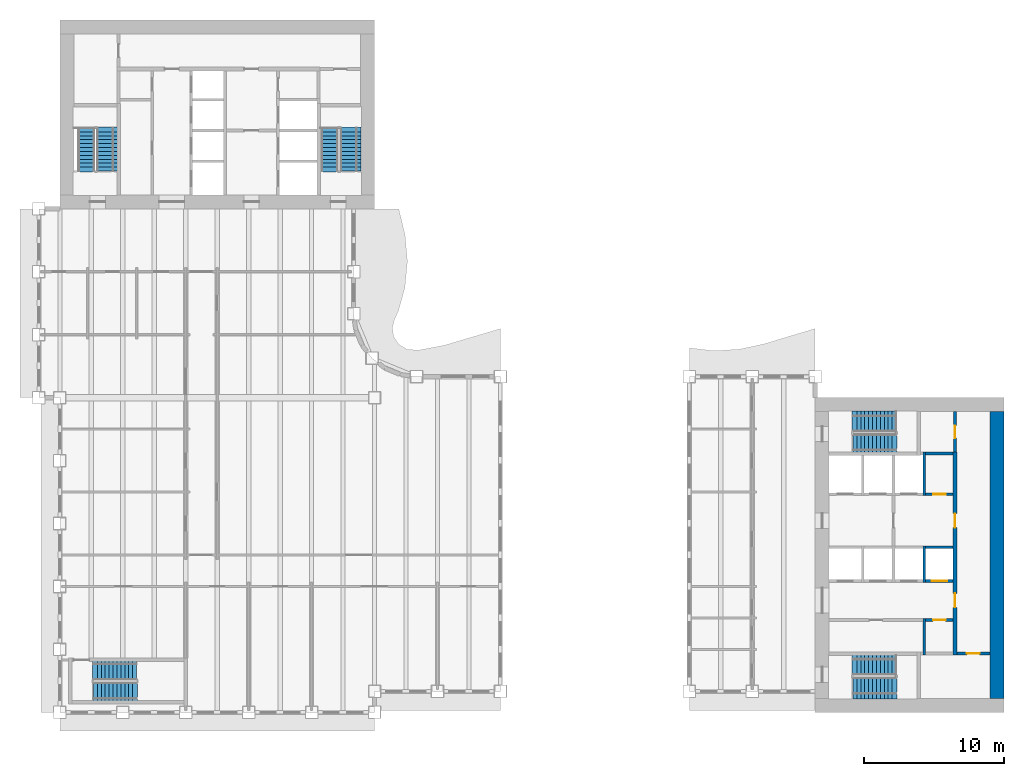
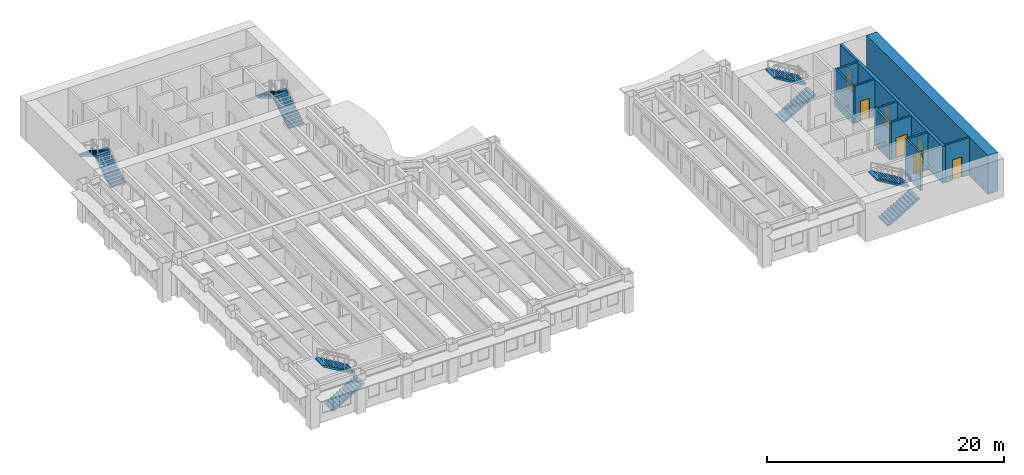
# One storey, part 9 of 13: 12 walls, 10 stair flights, 7 doors, 7 openings, 5 elements without a shape of their own.
"""IFC4 building model written with IfcOpenShell, lengths in metres."""

from ifc_helpers import new_model, si_unit, direction, frame, frame_2d, origin, place, context, subcontext, project, spatial, polyline, rectangle, outline, extrude, material, layer, layer_set, type_object, element, fill, aggregate, save


model = new_model("IFC4")

# Units and contexts
model_context = context("Model", 3, precision=1e-05, world=origin(), true_north=direction((0.0, 1.0)))
body_context = subcontext(model_context, "Body", "Model", "MODEL_VIEW")
ifc_project = project(units=[si_unit("LENGTHUNIT", "METRE"), si_unit("AREAUNIT", "SQUARE_METRE"), si_unit("VOLUMEUNIT", "CUBIC_METRE"), si_unit("PLANEANGLEUNIT", "RADIAN"), si_unit("MASSUNIT", "GRAM", prefix="KILO")], contexts=[model_context])

# Site, building, storey
site_placement = place(None, origin())
site = spatial("IfcSite", under=ifc_project, at=site_placement, CompositionType="ELEMENT")
building_placement = place(site_placement, origin())
building = spatial("IfcBuilding", under=site, at=building_placement, Name="Sennacour Bend Tower", CompositionType="ELEMENT")
storey_placement = place(building_placement, frame((0.0, 0.0, 143.0)))
storey = spatial("IfcBuildingStorey", under=building, at=storey_placement, Name="L32", CompositionType="ELEMENT", Elevation=143.0)

# Walls
ifc_material_1 = material(Name="Concrete C60/75", Category="concrete")
ifc_layer_1 = layer(ifc_material_1, 1.0, Name="Concrete C60/75", Category="concrete")
ifc_layer_set_1 = layer_set([ifc_layer_1], Name="Concrete C60/75")
wall_type_1 = type_object("IfcWallType", Name="Core wall 1000 C60/75", PredefinedType="SHEAR", material=ifc_layer_set_1)
wall_1_placement = place(storey_placement, frame((67.0, 1.0, -0.14990234375), z_axis=(0.0, 0.0, 1.0), x_axis=(0.0, 1.0, 0.0)))
element("IfcWall", 1, at=wall_1_placement, inside=storey, type_object=wall_type_1, Name="Core A wall L32 E", PredefinedType="SHEAR", context=body_context, shape_type="SweptSolid", body=[
    extrude(rectangle(XDim=20.5, YDim=1.0, at=frame_2d((10.25, 0.0))), origin(), (0.0, 0.0, 1.0), 4.0),
])
ifc_material_2 = material(Name="Fire-rated plasterboard partition on steel studs", Category="steel")
ifc_layer_2 = layer(ifc_material_2, 0.199951171875, Name="Fire-rated plasterboard partition on steel studs", Category="steel")
ifc_layer_set_2 = layer_set([ifc_layer_2], Name="Fire-rated plasterboard partition on steel studs")
wall_type_2 = type_object("IfcWallType", Name="Rated partition 200", PredefinedType="PARTITIONING", material=ifc_layer_set_2)
wall_2_placement = place(storey_placement, frame((61.800048828125, 4.10009765625, 0.0), z_axis=(0.0, 0.0, 1.0), x_axis=(0.0, 1.0, 0.0)))
element("IfcWall", 2, at=wall_2_placement, inside=storey, type_object=wall_type_2, Name="P-L32-W036", PredefinedType="PARTITIONING", context=body_context, shape_type="SweptSolid", body=[
    extrude(rectangle(XDim=2.599853515625, YDim=0.199951171875, at=frame_2d((1.2998046875, 0.0))), origin(), (0.0, 0.0, 1.0), 3.85009765625),
])

# Wall, opening, door
wall_3_placement = place(storey_placement, frame((64.0, 18.60009765625, 0.0), z_axis=(0.0, 0.0, 1.0), x_axis=(0.0, 1.0, 0.0)))
wall_3 = element("IfcWall", 3, at=wall_3_placement, inside=storey, type_object=wall_type_2, Name="P-L32-W040", PredefinedType="PARTITIONING", context=body_context, shape_type="SweptSolid", body=[
    extrude(rectangle(XDim=2.89990234375, YDim=0.199951171875, at=frame_2d((1.449951171875, 0.0))), origin(), (0.0, 0.0, 1.0), 3.85009765625),
])
opening_1_placement = place(wall_3_placement, frame((1.0, 0.0, 0.0)))
opening_1 = element("IfcOpeningElement", 4, at=opening_1_placement, cuts=wall_3, Name="Opening SV", PredefinedType="OPENING", context=body_context, shape_type="SweptSolid", body=[
    extrude(rectangle(XDim=0.89990234375, YDim=2.10009765625, at=frame_2d((0.449951171875, 1.050048828125))), frame((0.0, 0.10986328125, 0.0), z_axis=(0.0, -1.0, 0.0), x_axis=(1.0, 0.0, 0.0)), (0.0, 0.0, 1.0), 0.219970703125),
])
ifc_material_3 = material(Name="Painted steel", Category="steel")
door_type_1 = type_object("IfcDoorType", Name="DR-SERVICE-900", OperationType="NOTDEFINED", PredefinedType="DOOR", material=ifc_material_3)
door_1_placement = place(opening_1_placement, origin())
door_1 = element("IfcDoor", 5, at=door_1_placement, inside=storey, type_object=door_type_1, Name="Door", OperationType="SINGLE_SWING_LEFT", OverallHeight=2.10009765625, OverallWidth=0.89990234375, PredefinedType="DOOR", context=body_context, shape_type="SweptSolid", body=[
    extrude(rectangle(XDim=0.89990234375, YDim=2.10009765625, at=frame_2d((0.449951171875, 1.050048828125))), frame((0.0, 0.02490234375, 0.0), z_axis=(0.0, -1.0, 0.0), x_axis=(1.0, 0.0, 0.0)), (0.0, 0.0, 1.0), 0.050048828125),
])
fill(opening_1, door_1)

wall_4_placement = place(storey_placement, frame((64.14990234375, 4.199951171875, 0.0), z_axis=(0.0, 0.0, 1.0), x_axis=(1.0, 0.0, 0.0)))
wall_4 = element("IfcWall", 6, at=wall_4_placement, inside=storey, type_object=wall_type_2, Name="P-L32-W047c", PredefinedType="PARTITIONING", context=body_context, shape_type="SweptSolid", body=[
    extrude(rectangle(XDim=2.35009765625, YDim=0.199951171875, at=frame_2d((1.175048828125, 0.0))), origin(), (0.0, 0.0, 1.0), 3.85009765625),
])
opening_2_placement = place(wall_4_placement, frame((0.7001953125, 0.0, 0.0)))
opening_2 = element("IfcOpeningElement", 7, at=opening_2_placement, cuts=wall_4, Name="Opening SV", PredefinedType="OPENING", context=body_context, shape_type="SweptSolid", body=[
    extrude(rectangle(XDim=0.89990234375, YDim=2.10009765625, at=frame_2d((0.449951171875, 1.050048828125))), frame((0.0, 0.10986328125, 0.0), z_axis=(0.0, -1.0, 0.0), x_axis=(1.0, 0.0, 0.0)), (0.0, 0.0, 1.0), 0.219970703125),
])
door_2_placement = place(opening_2_placement, origin())
door_2 = element("IfcDoor", 8, at=door_2_placement, inside=storey, type_object=door_type_1, Name="Door", OperationType="SINGLE_SWING_LEFT", OverallHeight=2.10009765625, OverallWidth=0.89990234375, PredefinedType="DOOR", context=body_context, shape_type="SweptSolid", body=[
    extrude(rectangle(XDim=0.89990234375, YDim=2.10009765625, at=frame_2d((0.449951171875, 1.050048828125))), frame((0.0, 0.02490234375, 0.0), z_axis=(0.0, -1.0, 0.0), x_axis=(1.0, 0.0, 0.0)), (0.0, 0.0, 1.0), 0.050048828125),
])
fill(opening_2, door_2)

wall_5_placement = place(storey_placement, frame((61.89990234375, 6.60009765625, 0.0), z_axis=(0.0, 0.0, 1.0), x_axis=(1.0, 0.0, 0.0)))
wall_5 = element("IfcWall", 9, at=wall_5_placement, inside=storey, type_object=wall_type_2, Name="P-L32-W049b", PredefinedType="PARTITIONING", context=body_context, shape_type="SweptSolid", body=[
    extrude(rectangle(XDim=1.9501953125, YDim=0.199951171875, at=frame_2d((0.97509765625, 0.0))), origin(), (0.0, 0.0, 1.0), 3.85009765625),
])
opening_3_placement = place(wall_5_placement, frame((0.525146484375, 0.0, 0.0)))
opening_3 = element("IfcOpeningElement", 10, at=opening_3_placement, cuts=wall_5, Name="Opening SV", PredefinedType="OPENING", context=body_context, shape_type="SweptSolid", body=[
    extrude(rectangle(XDim=0.89990234375, YDim=2.10009765625, at=frame_2d((0.449951171875, 1.050048828125))), frame((0.0, 0.10986328125, 0.0), z_axis=(0.0, -1.0, 0.0), x_axis=(1.0, 0.0, 0.0)), (0.0, 0.0, 1.0), 0.219970703125),
])
door_3_placement = place(opening_3_placement, origin())
door_3 = element("IfcDoor", 11, at=door_3_placement, inside=storey, type_object=door_type_1, Name="Door", OperationType="SINGLE_SWING_RIGHT", OverallHeight=2.10009765625, OverallWidth=0.89990234375, PredefinedType="DOOR", context=body_context, shape_type="SweptSolid", body=[
    extrude(rectangle(XDim=0.89990234375, YDim=2.10009765625, at=frame_2d((0.449951171875, 1.050048828125))), frame((0.0, 0.02490234375, 0.0), z_axis=(0.0, -1.0, 0.0), x_axis=(1.0, 0.0, 0.0)), (0.0, 0.0, 1.0), 0.050048828125),
])
fill(opening_3, door_3)

wall_6_placement = place(storey_placement, frame((61.89990234375, 15.60009765625, 0.0), z_axis=(0.0, 0.0, 1.0), x_axis=(1.0, 0.0, 0.0)))
wall_6 = element("IfcWall", 12, at=wall_6_placement, inside=storey, type_object=wall_type_2, Name="P-L32-W057", PredefinedType="PARTITIONING", context=body_context, shape_type="SweptSolid", body=[
    extrude(rectangle(XDim=1.9501953125, YDim=0.199951171875, at=frame_2d((0.97509765625, 0.0))), origin(), (0.0, 0.0, 1.0), 3.85009765625),
])
opening_4_placement = place(wall_6_placement, frame((0.525146484375, 0.0, 0.0)))
opening_4 = element("IfcOpeningElement", 13, at=opening_4_placement, cuts=wall_6, Name="Opening SV", PredefinedType="OPENING", context=body_context, shape_type="SweptSolid", body=[
    extrude(rectangle(XDim=0.89990234375, YDim=2.10009765625, at=frame_2d((0.449951171875, 1.050048828125))), frame((0.0, 0.10986328125, 0.0), z_axis=(0.0, -1.0, 0.0), x_axis=(1.0, 0.0, 0.0)), (0.0, 0.0, 1.0), 0.219970703125),
])
door_4_placement = place(opening_4_placement, origin())
door_4 = element("IfcDoor", 14, at=door_4_placement, inside=storey, type_object=door_type_1, Name="Door", OperationType="SINGLE_SWING_LEFT", OverallHeight=2.10009765625, OverallWidth=0.89990234375, PredefinedType="DOOR", context=body_context, shape_type="SweptSolid", body=[
    extrude(rectangle(XDim=0.89990234375, YDim=2.10009765625, at=frame_2d((0.449951171875, 1.050048828125))), frame((0.0, 0.02490234375, 0.0), z_axis=(0.0, -1.0, 0.0), x_axis=(1.0, 0.0, 0.0)), (0.0, 0.0, 1.0), 0.050048828125),
])
fill(opening_4, door_4)

# Walls
wall_7_placement = place(storey_placement, frame((61.89990234375, 18.5, 0.0), z_axis=(0.0, 0.0, 1.0), x_axis=(1.0, 0.0, 0.0)))
element("IfcWall", 15, at=wall_7_placement, inside=storey, type_object=wall_type_2, Name="P-L32-W062", PredefinedType="PARTITIONING", context=body_context, shape_type="SweptSolid", body=[
    extrude(rectangle(XDim=1.9501953125, YDim=0.199951171875, at=frame_2d((0.97509765625, 0.0))), origin(), (0.0, 0.0, 1.0), 3.85009765625),
])
ifc_material_4 = material(Name="Concrete C50/60", Category="concrete")
ifc_layer_3 = layer(ifc_material_4, 0.199951171875, Name="Concrete C50/60", Category="concrete")
ifc_layer_set_3 = layer_set([ifc_layer_3], Name="Concrete C50/60")
wall_type_3 = type_object("IfcWallType", Name="Shaft wall 200", PredefinedType="SOLIDWALL", material=ifc_layer_set_3)
wall_8_placement = place(storey_placement, frame((61.800048828125, 9.300048828125, 0.0), z_axis=(0.0, 0.0, 1.0), x_axis=(0.0, 1.0, 0.0)))
element("IfcWall", 16, at=wall_8_placement, inside=storey, type_object=wall_type_3, Name="P-L32-W037", PredefinedType="SOLIDWALL", context=body_context, shape_type="SweptSolid", body=[
    extrude(rectangle(XDim=2.599853515625, YDim=0.199951171875, at=frame_2d((1.2998046875, 0.0))), origin(), (0.0, 0.0, 1.0), 3.85009765625),
])
wall_9_placement = place(storey_placement, frame((61.800048828125, 15.5, 0.0), z_axis=(0.0, 0.0, 1.0), x_axis=(0.0, 1.0, 0.0)))
element("IfcWall", 17, at=wall_9_placement, inside=storey, type_object=wall_type_3, Name="P-L32-W038", PredefinedType="SOLIDWALL", context=body_context, shape_type="SweptSolid", body=[
    extrude(rectangle(XDim=3.10009765625, YDim=0.199951171875, at=frame_2d((1.550048828125, 0.0))), origin(), (0.0, 0.0, 1.0), 3.85009765625),
])

# Wall, opening, door
wall_10_placement = place(storey_placement, frame((61.89990234375, 9.39990234375, 0.0), z_axis=(0.0, 0.0, 1.0), x_axis=(1.0, 0.0, 0.0)))
wall_10 = element("IfcWall", 18, at=wall_10_placement, inside=storey, type_object=wall_type_3, Name="P-L32-W053d", PredefinedType="SOLIDWALL", context=body_context, shape_type="SweptSolid", body=[
    extrude(rectangle(XDim=1.9501953125, YDim=0.199951171875, at=frame_2d((0.97509765625, 0.0))), origin(), (0.0, 0.0, 1.0), 3.85009765625),
])
opening_5_placement = place(wall_10_placement, frame((0.425048828125, 0.0, 0.011962890625)))
opening_5 = element("IfcOpeningElement", 19, at=opening_5_placement, cuts=wall_10, Name="Opening LD", PredefinedType="OPENING", context=body_context, shape_type="SweptSolid", body=[
    extrude(rectangle(XDim=1.10009765625, YDim=2.10009765625, at=frame_2d((0.550048828125, 1.050048828125))), frame((0.0, 0.10986328125, 0.0), z_axis=(0.0, -1.0, 0.0), x_axis=(1.0, 0.0, 0.0)), (0.0, 0.0, 1.0), 0.219970703125),
])
ifc_material_5 = material(Name="Stainless steel", Category="steel")
door_type_2 = type_object("IfcDoorType", Name="DR-LANDING-1100", OperationType="NOTDEFINED", PredefinedType="DOOR", material=ifc_material_5)
door_5_placement = place(opening_5_placement, origin())
door_5 = element("IfcDoor", 20, at=door_5_placement, inside=storey, type_object=door_type_2, Name="Lift landing door HA4", OperationType="SLIDING_TO_RIGHT", OverallHeight=2.10009765625, OverallWidth=1.10009765625, PredefinedType="DOOR", context=body_context, shape_type="SweptSolid", body=[
    extrude(rectangle(XDim=1.10009765625, YDim=2.10009765625, at=frame_2d((0.550048828125, 1.050048828125))), frame((0.0, 0.02490234375, 0.0), z_axis=(0.0, -1.0, 0.0), x_axis=(1.0, 0.0, 0.0)), (0.0, 0.0, 1.0), 0.050048828125),
])
fill(opening_5, door_5)

# Wall
wall_11_placement = place(storey_placement, frame((61.89990234375, 11.800048828125, 0.0), z_axis=(0.0, 0.0, 1.0), x_axis=(1.0, 0.0, 0.0)))
element("IfcWall", 21, at=wall_11_placement, inside=storey, type_object=wall_type_3, Name="P-L32-W055d", PredefinedType="SOLIDWALL", context=body_context, shape_type="SweptSolid", body=[
    extrude(rectangle(XDim=1.9501953125, YDim=0.199951171875, at=frame_2d((0.97509765625, 0.0))), origin(), (0.0, 0.0, 1.0), 3.85009765625),
])

# Wall, openings, doors
ifc_layer_4 = layer(ifc_material_1, 0.300048828125, Name="Concrete C60/75", Category="concrete")
ifc_layer_set_4 = layer_set([ifc_layer_4], Name="Concrete C60/75")
wall_type_4 = type_object("IfcWallType", Name="Spine wall 300", PredefinedType="SHEAR", material=ifc_layer_set_4)
wall_12_placement = place(storey_placement, frame((64.0, 4.10009765625, 0.0), z_axis=(0.0, 0.0, 1.0), x_axis=(0.0, 1.0, 0.0)))
wall_12 = element("IfcWall", 22, at=wall_12_placement, inside=storey, type_object=wall_type_4, Name="P-L32-W039", PredefinedType="SHEAR", context=body_context, shape_type="SweptSolid", body=[
    extrude(rectangle(XDim=14.5, YDim=0.300048828125, at=frame_2d((7.25, 0.0))), origin(), (0.0, 0.0, 1.0), 3.85009765625),
])
opening_6_placement = place(wall_12_placement, frame((3.39990234375, 0.0, 0.0)))
opening_6 = element("IfcOpeningElement", 23, at=opening_6_placement, cuts=wall_12, Name="Opening CD2", PredefinedType="OPENING", context=body_context, shape_type="SweptSolid", body=[
    extrude(rectangle(XDim=1.0, YDim=2.10009765625, at=frame_2d((0.5, 1.050048828125))), frame((0.0, 0.16015625, 0.0), z_axis=(0.0, -1.0, 0.0), x_axis=(1.0, 0.0, 0.0)), (0.0, 0.0, 1.0), 0.320068359375),
])
opening_7_placement = place(wall_12_placement, frame((9.099853515625, 0.0, 0.0)))
opening_7 = element("IfcOpeningElement", 24, at=opening_7_placement, cuts=wall_12, Name="Opening CD2", PredefinedType="OPENING", context=body_context, shape_type="SweptSolid", body=[
    extrude(rectangle(XDim=1.0, YDim=2.10009765625, at=frame_2d((0.5, 1.050048828125))), frame((0.0, 0.16015625, 0.0), z_axis=(0.0, -1.0, 0.0), x_axis=(1.0, 0.0, 0.0)), (0.0, 0.0, 1.0), 0.320068359375),
])
door_type_3 = type_object("IfcDoorType", Name="DR-LOBBY-1000", OperationType="NOTDEFINED", PredefinedType="DOOR", material=ifc_material_3)
door_6_placement = place(opening_6_placement, origin())
door_6 = element("IfcDoor", 25, at=door_6_placement, inside=storey, type_object=door_type_3, Name="Door", OperationType="SINGLE_SWING_LEFT", OverallHeight=2.10009765625, OverallWidth=1.0, PredefinedType="DOOR", context=body_context, shape_type="SweptSolid", body=[
    extrude(rectangle(XDim=1.0, YDim=2.10009765625, at=frame_2d((0.5, 1.050048828125))), frame((0.0, 0.02490234375, 0.0), z_axis=(0.0, -1.0, 0.0), x_axis=(1.0, 0.0, 0.0)), (0.0, 0.0, 1.0), 0.050048828125),
])
fill(opening_6, door_6)
door_7_placement = place(opening_7_placement, origin())
door_7 = element("IfcDoor", 26, at=door_7_placement, inside=storey, type_object=door_type_3, Name="Door", OperationType="SINGLE_SWING_RIGHT", OverallHeight=2.10009765625, OverallWidth=1.0, PredefinedType="DOOR", context=body_context, shape_type="SweptSolid", body=[
    extrude(rectangle(XDim=1.0, YDim=2.10009765625, at=frame_2d((0.5, 1.050048828125))), frame((0.0, 0.02490234375, 0.0), z_axis=(0.0, -1.0, 0.0), x_axis=(1.0, 0.0, 0.0)), (0.0, 0.0, 1.0), 0.050048828125),
])
fill(opening_7, door_7)

# Stair, stair flights
ifc_material_6 = material(Name="Concrete C40/50", Category="concrete")
stair_type = type_object("IfcStairType", Name="ST-DOGLEG", PredefinedType="HALF_TURN_STAIR", material=ifc_material_6)
stair_1_placement = place(storey_placement, origin())
stair_1 = element("IfcStair", 27, at=stair_1_placement, inside=storey, type_object=stair_type, Name="L32 Exit stair A1", PredefinedType="HALF_TURN_STAIR")
stair_flight_type = type_object("IfcStairFlightType", Name="SFL-RC", PredefinedType="STRAIGHT", material=ifc_material_6)
stair_flight_1_placement = place(storey_placement, frame((56.699951171875, 1.735107421875, 0.0), z_axis=(0.0, 0.0, 1.0), x_axis=(1.0, 0.0, 0.0)))
stair_flight_1 = element("IfcStairFlight", 28, at=stair_flight_1_placement, type_object=stair_flight_type, Name="SA1 flight 1", NumberOfRisers=12, NumberOfTreads=11, PredefinedType="STRAIGHT", RiserHeight=0.166666667, TreadLength=0.28, context=body_context, shape_type="SweptSolid", body=[
    extrude(outline(polyline([(0.0, 0.0), (0.0, 0.166748046875), (0.280029296875, 0.166748046875), (0.280029296875, 0.333251953125), (0.56005859375, 0.333251953125), (0.56005859375, 0.5), (0.840087890625, 0.5), (0.840087890625, 0.666748046875), (1.1201171875, 0.666748046875), (1.1201171875, 0.833251953125), (1.39990234375, 0.833251953125), (1.39990234375, 1.0), (1.679931640625, 1.0), (1.679931640625, 1.166748046875), (1.9599609375, 1.166748046875), (1.9599609375, 1.333251953125), (2.239990234375, 1.333251953125), (2.239990234375, 1.5), (2.52001953125, 1.5), (2.52001953125, 1.666748046875), (2.800048828125, 1.666748046875), (2.800048828125, 1.833251953125), (3.080078125, 1.833251953125), (3.139892578125, 1.833251953125), (3.139892578125, 1.658935546875), (3.080078125, 1.658935546875), (0.29296875, 0.0), (0.0, 0.0)])), frame((0.0, 0.76513671875, 0.0), z_axis=(0.0, -1.0, 0.0), x_axis=(1.0, 0.0, 0.0)), (0.0, 0.0, 1.0), 1.530029296875),
])
stair_flight_2_placement = place(storey_placement, frame((59.780029296875, 3.37744140625, 2.0), z_axis=(0.0, 0.0, 1.0), x_axis=(-1.0, 0.0, 0.0)))
stair_flight_2 = element("IfcStairFlight", 29, at=stair_flight_2_placement, type_object=stair_flight_type, Name="SA1 flight 2", NumberOfRisers=12, NumberOfTreads=11, PredefinedType="STRAIGHT", RiserHeight=0.166666667, TreadLength=0.28, context=body_context, shape_type="SweptSolid", body=[
    extrude(outline(polyline([(0.0, 0.0), (0.0, 0.166748046875), (0.280029296875, 0.166748046875), (0.280029296875, 0.333251953125), (0.56005859375, 0.333251953125), (0.56005859375, 0.5), (0.840087890625, 0.5), (0.840087890625, 0.666748046875), (1.1201171875, 0.666748046875), (1.1201171875, 0.833251953125), (1.39990234375, 0.833251953125), (1.39990234375, 1.0), (1.679931640625, 1.0), (1.679931640625, 1.166748046875), (1.9599609375, 1.166748046875), (1.9599609375, 1.333251953125), (2.239990234375, 1.333251953125), (2.239990234375, 1.5), (2.52001953125, 1.5), (2.52001953125, 1.666748046875), (2.800048828125, 1.666748046875), (2.800048828125, 1.833251953125), (3.080078125, 1.833251953125), (3.139892578125, 1.833251953125), (3.139892578125, 1.658935546875), (3.080078125, 1.658935546875), (0.29296875, 0.0), (0.0, 0.0)])), frame((0.0, 0.7275390625, 0.0), z_axis=(0.0, -1.0, 0.0), x_axis=(1.0, 0.0, 0.0)), (0.0, 0.0, 1.0), 1.455078125),
])
aggregate(stair_1, [stair_flight_1, stair_flight_2])

stair_2_placement = place(storey_placement, origin())
stair_2 = element("IfcStair", 30, at=stair_2_placement, inside=storey, type_object=stair_type, Name="L32 Exit stair A2", PredefinedType="HALF_TURN_STAIR")
stair_flight_3_placement = place(storey_placement, frame((56.699951171875, 19.24755859375, 0.0), z_axis=(0.0, 0.0, 1.0), x_axis=(1.0, 0.0, 0.0)))
stair_flight_3 = element("IfcStairFlight", 31, at=stair_flight_3_placement, type_object=stair_flight_type, Name="SA2 flight 1", NumberOfRisers=12, NumberOfTreads=11, PredefinedType="STRAIGHT", RiserHeight=0.166666667, TreadLength=0.28, context=body_context, shape_type="SweptSolid", body=[
    extrude(outline(polyline([(0.0, 0.0), (0.0, 0.166748046875), (0.280029296875, 0.166748046875), (0.280029296875, 0.333251953125), (0.56005859375, 0.333251953125), (0.56005859375, 0.5), (0.840087890625, 0.5), (0.840087890625, 0.666748046875), (1.1201171875, 0.666748046875), (1.1201171875, 0.833251953125), (1.39990234375, 0.833251953125), (1.39990234375, 1.0), (1.679931640625, 1.0), (1.679931640625, 1.166748046875), (1.9599609375, 1.166748046875), (1.9599609375, 1.333251953125), (2.239990234375, 1.333251953125), (2.239990234375, 1.5), (2.52001953125, 1.5), (2.52001953125, 1.666748046875), (2.800048828125, 1.666748046875), (2.800048828125, 1.833251953125), (3.080078125, 1.833251953125), (3.139892578125, 1.833251953125), (3.139892578125, 1.658935546875), (3.080078125, 1.658935546875), (0.29296875, 0.0), (0.0, 0.0)])), frame((0.0, 0.65234375, 0.0), z_axis=(0.0, -1.0, 0.0), x_axis=(1.0, 0.0, 0.0)), (0.0, 0.0, 1.0), 1.304931640625),
])
stair_flight_4_placement = place(storey_placement, frame((59.780029296875, 20.7900390625, 2.0), z_axis=(0.0, 0.0, 1.0), x_axis=(-1.0, 0.0, 0.0)))
stair_flight_4 = element("IfcStairFlight", 32, at=stair_flight_4_placement, type_object=stair_flight_type, Name="SA2 flight 2", NumberOfRisers=12, NumberOfTreads=11, PredefinedType="STRAIGHT", RiserHeight=0.166666667, TreadLength=0.28, context=body_context, shape_type="SweptSolid", body=[
    extrude(outline(polyline([(0.0, 0.0), (0.0, 0.166748046875), (0.280029296875, 0.166748046875), (0.280029296875, 0.333251953125), (0.56005859375, 0.333251953125), (0.56005859375, 0.5), (0.840087890625, 0.5), (0.840087890625, 0.666748046875), (1.1201171875, 0.666748046875), (1.1201171875, 0.833251953125), (1.39990234375, 0.833251953125), (1.39990234375, 1.0), (1.679931640625, 1.0), (1.679931640625, 1.166748046875), (1.9599609375, 1.166748046875), (1.9599609375, 1.333251953125), (2.239990234375, 1.333251953125), (2.239990234375, 1.5), (2.52001953125, 1.5), (2.52001953125, 1.666748046875), (2.800048828125, 1.666748046875), (2.800048828125, 1.833251953125), (3.080078125, 1.833251953125), (3.139892578125, 1.833251953125), (3.139892578125, 1.658935546875), (3.080078125, 1.658935546875), (0.29296875, 0.0), (0.0, 0.0)])), frame((0.0, 0.739990234375, 0.0), z_axis=(0.0, -1.0, 0.0), x_axis=(1.0, 0.0, 0.0)), (0.0, 0.0, 1.0), 1.47998046875),
])
aggregate(stair_2, [stair_flight_3, stair_flight_4])

stair_3_placement = place(storey_placement, origin())
stair_3 = element("IfcStair", 33, at=stair_3_placement, inside=storey, type_object=stair_type, Name="L32 Exit stair B1", PredefinedType="HALF_TURN_STAIR")
stair_flight_5_placement = place(storey_placement, frame((3.37744140625, 38.699951171875, 0.0), z_axis=(0.0, 0.0, 1.0), x_axis=(0.0, 1.0, 0.0)))
stair_flight_5 = element("IfcStairFlight", 34, at=stair_flight_5_placement, type_object=stair_flight_type, Name="SB1 flight 1", NumberOfRisers=12, NumberOfTreads=11, PredefinedType="STRAIGHT", RiserHeight=0.166666667, TreadLength=0.28, context=body_context, shape_type="SweptSolid", body=[
    extrude(outline(polyline([(0.0, 0.0), (0.0, 0.166748046875), (0.280029296875, 0.166748046875), (0.280029296875, 0.333251953125), (0.56005859375, 0.333251953125), (0.56005859375, 0.5), (0.840087890625, 0.5), (0.840087890625, 0.666748046875), (1.1201171875, 0.666748046875), (1.1201171875, 0.833251953125), (1.39990234375, 0.833251953125), (1.39990234375, 1.0), (1.679931640625, 1.0), (1.679931640625, 1.166748046875), (1.9599609375, 1.166748046875), (1.9599609375, 1.333251953125), (2.239990234375, 1.333251953125), (2.239990234375, 1.5), (2.52001953125, 1.5), (2.52001953125, 1.666748046875), (2.800048828125, 1.666748046875), (2.800048828125, 1.833251953125), (3.080078125, 1.833251953125), (3.139892578125, 1.833251953125), (3.139892578125, 1.658935546875), (3.080078125, 1.658935546875), (0.29296875, 0.0), (0.0, 0.0)])), frame((0.0, 0.7275390625, 0.0), z_axis=(0.0, -1.0, 0.0), x_axis=(1.0, 0.0, 0.0)), (0.0, 0.0, 1.0), 1.455078125),
])
stair_flight_6_placement = place(storey_placement, frame((1.89990234375, 41.780029296875, 2.0), z_axis=(0.0, 0.0, 1.0), x_axis=(0.0, -1.0, 0.0)))
stair_flight_6 = element("IfcStairFlight", 35, at=stair_flight_6_placement, type_object=stair_flight_type, Name="SB1 flight 2", NumberOfRisers=12, NumberOfTreads=11, PredefinedType="STRAIGHT", RiserHeight=0.166666667, TreadLength=0.28, context=body_context, shape_type="SweptSolid", body=[
    extrude(outline(polyline([(0.0, 0.0), (0.0, 0.166748046875), (0.280029296875, 0.166748046875), (0.280029296875, 0.333251953125), (0.56005859375, 0.333251953125), (0.56005859375, 0.5), (0.840087890625, 0.5), (0.840087890625, 0.666748046875), (1.1201171875, 0.666748046875), (1.1201171875, 0.833251953125), (1.39990234375, 0.833251953125), (1.39990234375, 1.0), (1.679931640625, 1.0), (1.679931640625, 1.166748046875), (1.9599609375, 1.166748046875), (1.9599609375, 1.333251953125), (2.239990234375, 1.333251953125), (2.239990234375, 1.5), (2.52001953125, 1.5), (2.52001953125, 1.666748046875), (2.800048828125, 1.666748046875), (2.800048828125, 1.833251953125), (3.080078125, 1.833251953125), (3.139892578125, 1.833251953125), (3.139892578125, 1.658935546875), (3.080078125, 1.658935546875), (0.29296875, 0.0), (0.0, 0.0)])), frame((0.0, 0.60009765625, 0.0), z_axis=(0.0, -1.0, 0.0), x_axis=(1.0, 0.0, 0.0)), (0.0, 0.0, 1.0), 1.199951171875),
])
aggregate(stair_3, [stair_flight_5, stair_flight_6])

stair_4_placement = place(storey_placement, origin())
stair_4 = element("IfcStair", 36, at=stair_4_placement, inside=storey, type_object=stair_type, Name="L32 Exit stair B2", PredefinedType="HALF_TURN_STAIR")
stair_flight_7_placement = place(storey_placement, frame((20.7900390625, 38.699951171875, 0.0), z_axis=(0.0, 0.0, 1.0), x_axis=(0.0, 1.0, 0.0)))
stair_flight_7 = element("IfcStairFlight", 37, at=stair_flight_7_placement, type_object=stair_flight_type, Name="SB2 flight 1", NumberOfRisers=12, NumberOfTreads=11, PredefinedType="STRAIGHT", RiserHeight=0.166666667, TreadLength=0.28, context=body_context, shape_type="SweptSolid", body=[
    extrude(outline(polyline([(0.0, 0.0), (0.0, 0.166748046875), (0.280029296875, 0.166748046875), (0.280029296875, 0.333251953125), (0.56005859375, 0.333251953125), (0.56005859375, 0.5), (0.840087890625, 0.5), (0.840087890625, 0.666748046875), (1.1201171875, 0.666748046875), (1.1201171875, 0.833251953125), (1.39990234375, 0.833251953125), (1.39990234375, 1.0), (1.679931640625, 1.0), (1.679931640625, 1.166748046875), (1.9599609375, 1.166748046875), (1.9599609375, 1.333251953125), (2.239990234375, 1.333251953125), (2.239990234375, 1.5), (2.52001953125, 1.5), (2.52001953125, 1.666748046875), (2.800048828125, 1.666748046875), (2.800048828125, 1.833251953125), (3.080078125, 1.833251953125), (3.139892578125, 1.833251953125), (3.139892578125, 1.658935546875), (3.080078125, 1.658935546875), (0.29296875, 0.0), (0.0, 0.0)])), frame((0.0, 0.739990234375, 0.0), z_axis=(0.0, -1.0, 0.0), x_axis=(1.0, 0.0, 0.0)), (0.0, 0.0, 1.0), 1.47998046875),
])
stair_flight_8_placement = place(storey_placement, frame((19.24755859375, 41.780029296875, 2.0), z_axis=(0.0, 0.0, 1.0), x_axis=(0.0, -1.0, 0.0)))
stair_flight_8 = element("IfcStairFlight", 38, at=stair_flight_8_placement, type_object=stair_flight_type, Name="SB2 flight 2", NumberOfRisers=12, NumberOfTreads=11, PredefinedType="STRAIGHT", RiserHeight=0.166666667, TreadLength=0.28, context=body_context, shape_type="SweptSolid", body=[
    extrude(outline(polyline([(0.0, 0.0), (0.0, 0.166748046875), (0.280029296875, 0.166748046875), (0.280029296875, 0.333251953125), (0.56005859375, 0.333251953125), (0.56005859375, 0.5), (0.840087890625, 0.5), (0.840087890625, 0.666748046875), (1.1201171875, 0.666748046875), (1.1201171875, 0.833251953125), (1.39990234375, 0.833251953125), (1.39990234375, 1.0), (1.679931640625, 1.0), (1.679931640625, 1.166748046875), (1.9599609375, 1.166748046875), (1.9599609375, 1.333251953125), (2.239990234375, 1.333251953125), (2.239990234375, 1.5), (2.52001953125, 1.5), (2.52001953125, 1.666748046875), (2.800048828125, 1.666748046875), (2.800048828125, 1.833251953125), (3.080078125, 1.833251953125), (3.139892578125, 1.833251953125), (3.139892578125, 1.658935546875), (3.080078125, 1.658935546875), (0.29296875, 0.0), (0.0, 0.0)])), frame((0.0, 0.65234375, 0.0), z_axis=(0.0, -1.0, 0.0), x_axis=(1.0, 0.0, 0.0)), (0.0, 0.0, 1.0), 1.304931640625),
])
aggregate(stair_4, [stair_flight_7, stair_flight_8])

stair_5_placement = place(storey_placement, origin())
stair_5 = element("IfcStair", 39, at=stair_5_placement, inside=storey, type_object=stair_type, Name="L32 Exit stair K1", PredefinedType="HALF_TURN_STAIR")
stair_flight_9_placement = place(storey_placement, frame((2.39990234375, 1.485107421875, 0.0), z_axis=(0.0, 0.0, 1.0), x_axis=(1.0, 0.0, 0.0)))
stair_flight_9 = element("IfcStairFlight", 40, at=stair_flight_9_placement, type_object=stair_flight_type, Name="SK1 flight 1", NumberOfRisers=12, NumberOfTreads=11, PredefinedType="STRAIGHT", RiserHeight=0.166666667, TreadLength=0.28, context=body_context, shape_type="SweptSolid", body=[
    extrude(outline(polyline([(0.0, 0.0), (0.0, 0.166748046875), (0.280029296875, 0.166748046875), (0.280029296875, 0.333251953125), (0.56005859375, 0.333251953125), (0.56005859375, 0.5), (0.840087890625, 0.5), (0.840087890625, 0.666748046875), (1.1201171875, 0.666748046875), (1.1201171875, 0.833251953125), (1.39990234375, 0.833251953125), (1.39990234375, 1.0), (1.679931640625, 1.0), (1.679931640625, 1.166748046875), (1.9599609375, 1.166748046875), (1.9599609375, 1.333251953125), (2.239990234375, 1.333251953125), (2.239990234375, 1.5), (2.52001953125, 1.5), (2.52001953125, 1.666748046875), (2.800048828125, 1.666748046875), (2.800048828125, 1.833251953125), (3.080078125, 1.833251953125), (3.139892578125, 1.833251953125), (3.139892578125, 1.658935546875), (3.080078125, 1.658935546875), (0.29296875, 0.0), (0.0, 0.0)])), frame((0.0, 0.6650390625, 0.0), z_axis=(0.0, -1.0, 0.0), x_axis=(1.0, 0.0, 0.0)), (0.0, 0.0, 1.0), 1.330078125),
])
stair_flight_10_placement = place(storey_placement, frame((5.47998046875, 2.9775390625, 2.0), z_axis=(0.0, 0.0, 1.0), x_axis=(-1.0, 0.0, 0.0)))
stair_flight_10 = element("IfcStairFlight", 41, at=stair_flight_10_placement, type_object=stair_flight_type, Name="SK1 flight 2", NumberOfRisers=12, NumberOfTreads=11, PredefinedType="STRAIGHT", RiserHeight=0.166666667, TreadLength=0.28, context=body_context, shape_type="SweptSolid", body=[
    extrude(outline(polyline([(0.0, 0.0), (0.0, 0.166748046875), (0.280029296875, 0.166748046875), (0.280029296875, 0.333251953125), (0.56005859375, 0.333251953125), (0.56005859375, 0.5), (0.840087890625, 0.5), (0.840087890625, 0.666748046875), (1.1201171875, 0.666748046875), (1.1201171875, 0.833251953125), (1.39990234375, 0.833251953125), (1.39990234375, 1.0), (1.679931640625, 1.0), (1.679931640625, 1.166748046875), (1.9599609375, 1.166748046875), (1.9599609375, 1.333251953125), (2.239990234375, 1.333251953125), (2.239990234375, 1.5), (2.52001953125, 1.5), (2.52001953125, 1.666748046875), (2.800048828125, 1.666748046875), (2.800048828125, 1.833251953125), (3.080078125, 1.833251953125), (3.139892578125, 1.833251953125), (3.139892578125, 1.658935546875), (3.080078125, 1.658935546875), (0.29296875, 0.0), (0.0, 0.0)])), frame((0.0, 0.677490234375, 0.0), z_axis=(0.0, -1.0, 0.0), x_axis=(1.0, 0.0, 0.0)), (0.0, 0.0, 1.0), 1.35498046875),
])
aggregate(stair_5, [stair_flight_9, stair_flight_10])

save(model, "model.ifc")
